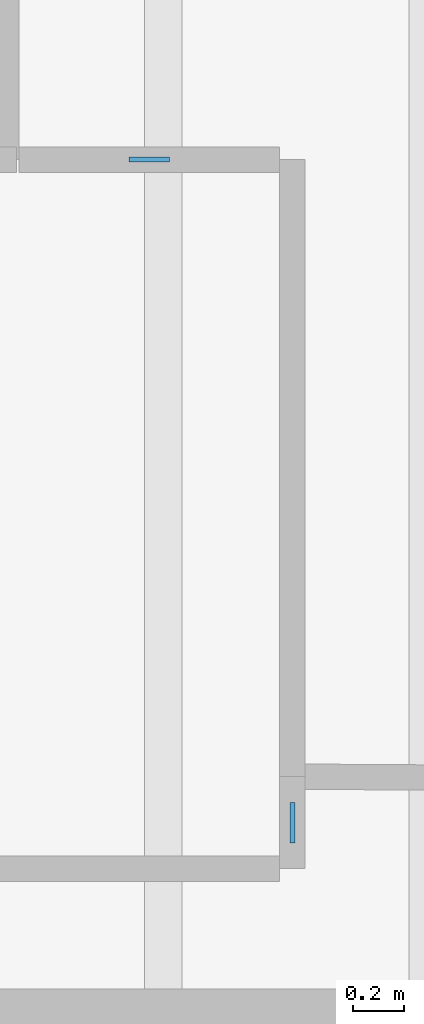
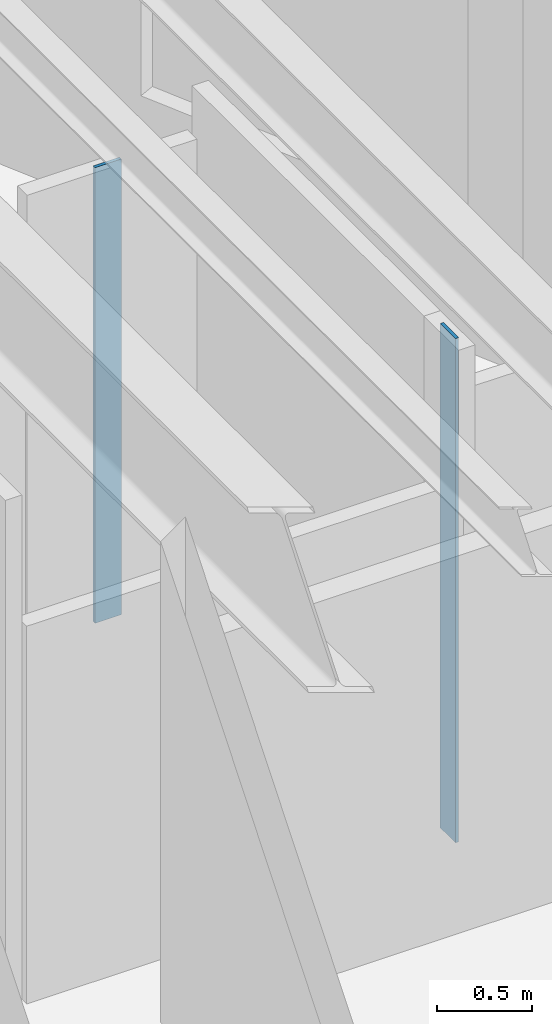
# One storey, part 2 of 10: 2 plates.
"""IFC4 building model written with IfcOpenShell, lengths in metres."""

from ifc_helpers import new_model, si_unit, direction, frame, origin, origin_2d, place, context, subcontext, project, spatial, rectangle, extrude, material, layer, layer_set, type_object, element, save


model = new_model("IFC4")

# Units and contexts
model_context = context("Model", 3, precision=1e-05, world=origin(), true_north=direction((0.0, 1.0)))
body_context = subcontext(model_context, "Body", "Model", "MODEL_VIEW")
ifc_project = project(units=[si_unit("LENGTHUNIT", "METRE"), si_unit("AREAUNIT", "SQUARE_METRE"), si_unit("VOLUMEUNIT", "CUBIC_METRE"), si_unit("PLANEANGLEUNIT", "RADIAN"), si_unit("MASSUNIT", "GRAM", prefix="KILO")], contexts=[model_context])

# Site, building, storey
site_placement = place(None, origin())
site = spatial("IfcSite", under=ifc_project, at=site_placement, CompositionType="ELEMENT")
building_placement = place(site_placement, origin())
building = spatial("IfcBuilding", under=site, at=building_placement, Name="Miruveldt Soraemaru", CompositionType="ELEMENT")
storey_placement = place(building_placement, frame((0.0, 0.0, 124.89990234375)))
storey = spatial("IfcBuildingStorey", under=building, at=storey_placement, Name="L34", CompositionType="ELEMENT", Elevation=124.89990234375)

# Plates
ifc_material = material(Name="Anodised aluminium EN AW-6063 T6", Category="aluminium")
ifc_layer = layer(ifc_material, 0.02001953125, Name="Anodised aluminium EN AW-6063 T6", Category="aluminium")
ifc_layer_set = layer_set([ifc_layer], Name="Anodised aluminium EN AW-6063 T6")
plate_type = type_object("IfcPlateType", Name="PLT-PART-TRIM", PredefinedType="SHEET", material=ifc_layer_set)
plate_1_placement = place(storey_placement, frame((57.614990234375, 47.530029296875, 0.0), z_axis=(0.0, 0.0, 1.0), x_axis=(-1.0, 0.0, 0.0)))
element("IfcPlate", 1, at=plate_1_placement, inside=storey, type_object=plate_type, Name="L34 Partition Step Corner Trim Plate 051", PredefinedType="SHEET", context=body_context, shape_type="SweptSolid", body=[
    extrude(rectangle(XDim=0.159912109375, YDim=0.02001953125, at=origin_2d()), origin(), (0.0, 0.0, 1.0), 2.923095703125),
])
plate_2_placement = place(storey_placement, frame((58.179931640625, 44.91162109375, 0.0), z_axis=(0.0, 0.0, 1.0), x_axis=(0.0, 1.0, 0.0)))
element("IfcPlate", 2, at=plate_2_placement, inside=storey, type_object=plate_type, Name="L34 Partition Step Corner Trim Plate 043", PredefinedType="SHEET", context=body_context, shape_type="SweptSolid", body=[
    extrude(rectangle(XDim=0.159912109375, YDim=0.02001953125, at=origin_2d()), origin(), (0.0, 0.0, 1.0), 3.235107421875),
])

save(model, "model.ifc")
